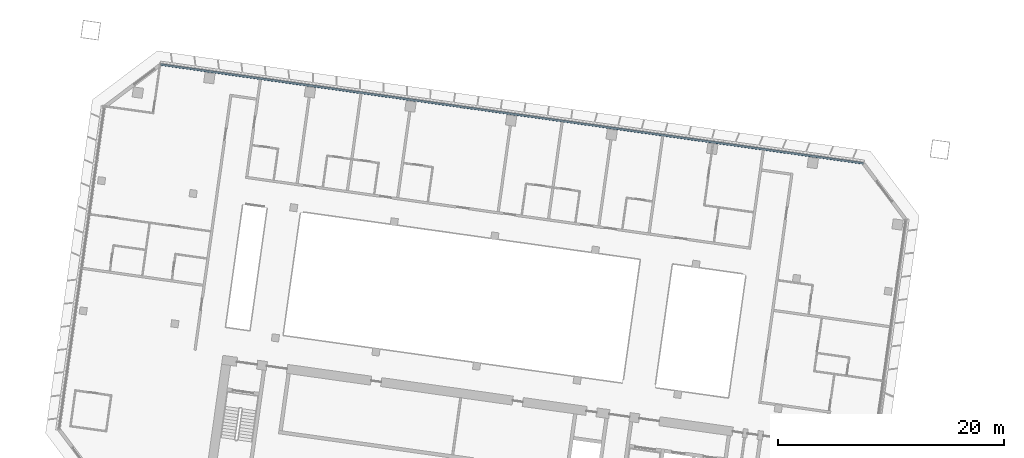
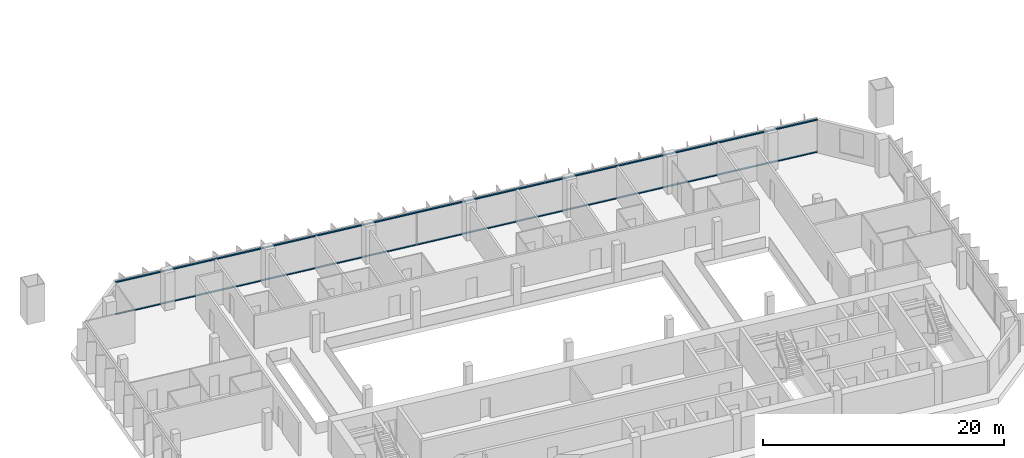
# One storey, part 4 of 24: 2 members, 1 element without a shape of its own.
"""IFC4 building model written with IfcOpenShell, lengths in metres."""

from ifc_helpers import new_model, si_unit, direction, frame, origin, origin_2d, place, context, subcontext, project, spatial, rectangle, extrude, material, material_profile, profile_set, type_object, element, aggregate, save


model = new_model("IFC4")

# Units and contexts
model_context = context("Model", 3, precision=1e-05, world=origin(), true_north=direction((0.0, 1.0)))
body_context = subcontext(model_context, "Body", "Model", "MODEL_VIEW")
ifc_project = project(units=[si_unit("LENGTHUNIT", "METRE"), si_unit("AREAUNIT", "SQUARE_METRE"), si_unit("VOLUMEUNIT", "CUBIC_METRE"), si_unit("PLANEANGLEUNIT", "RADIAN"), si_unit("MASSUNIT", "GRAM", prefix="KILO")], contexts=[model_context])

# Site, building, storey
site_placement = place(None, origin())
site = spatial("IfcSite", under=ifc_project, at=site_placement, CompositionType="ELEMENT")
building_placement = place(site_placement, origin())
building = spatial("IfcBuilding", under=site, at=building_placement, Name="Mirante Cascada Hotel Towers", CompositionType="ELEMENT")
storey_placement = place(building_placement, frame((0.0, 0.0, 132.9)))
storey = spatial("IfcBuildingStorey", under=building, at=storey_placement, Name="L30", CompositionType="ELEMENT", Elevation=132.9)

# Curtain wall, members
ifc_material_1 = material(Name="Aluminium mullion and transom frame with clear laminated glass", Category="aluminium")
curtain_wall_type = type_object("IfcCurtainWallType", Name="Ribbon curtain wall ECW1", PredefinedType="NOTDEFINED", material=ifc_material_1)
curtain_wall_placement = place(storey_placement, origin())
curtain_wall = element("IfcCurtainWall", 1, at=curtain_wall_placement, inside=storey, type_object=curtain_wall_type, Name="Front ribbon wall T1 L30", PredefinedType="NOTDEFINED")
ifc_material_2 = material(Name="Anodised aluminium extrusion", Category="aluminium")
ifc_material_profile = material_profile(ifc_material_2, rectangle(XDim=0.16, YDim=0.1, at=origin_2d()), Name="ECW1 TRANSOM 100x160")
ifc_profile_set = profile_set([ifc_material_profile], Name="Anodised aluminium extrusion")
member_type = type_object("IfcMemberType", Name="ECW1 transom 100x160", PredefinedType="USERDEFINED", material=ifc_profile_set)
member_1_placement = place(storey_placement, frame((-94.1582, 26.0521, 0.05), z_axis=(0.9902681, -0.1391728, 0.0), x_axis=(0.1391728, 0.9902681, 0.0)))
member_1 = element("IfcMember", 2, at=member_1_placement, type_object=member_type, Name="ECW1 sill transom", ObjectType="TRANSOM", PredefinedType="USERDEFINED", context=body_context, shape_type="SweptSolid", body=[
    extrude(rectangle(XDim=0.16, YDim=0.1, at=origin_2d()), origin(), (0.0, 0.0, 1.0), 62.8758),
])
member_2_placement = place(storey_placement, frame((-94.1582, 26.0521, 3.3), z_axis=(0.9902681, -0.1391728, 0.0), x_axis=(0.1391728, 0.9902681, 0.0)))
member_2 = element("IfcMember", 3, at=member_2_placement, type_object=member_type, Name="ECW1 head transom", ObjectType="TRANSOM", PredefinedType="USERDEFINED", context=body_context, shape_type="SweptSolid", body=[
    extrude(rectangle(XDim=0.16, YDim=0.1, at=origin_2d()), origin(), (0.0, 0.0, 1.0), 62.8758),
])
aggregate(curtain_wall, [member_1, member_2])

save(model, "model.ifc")
